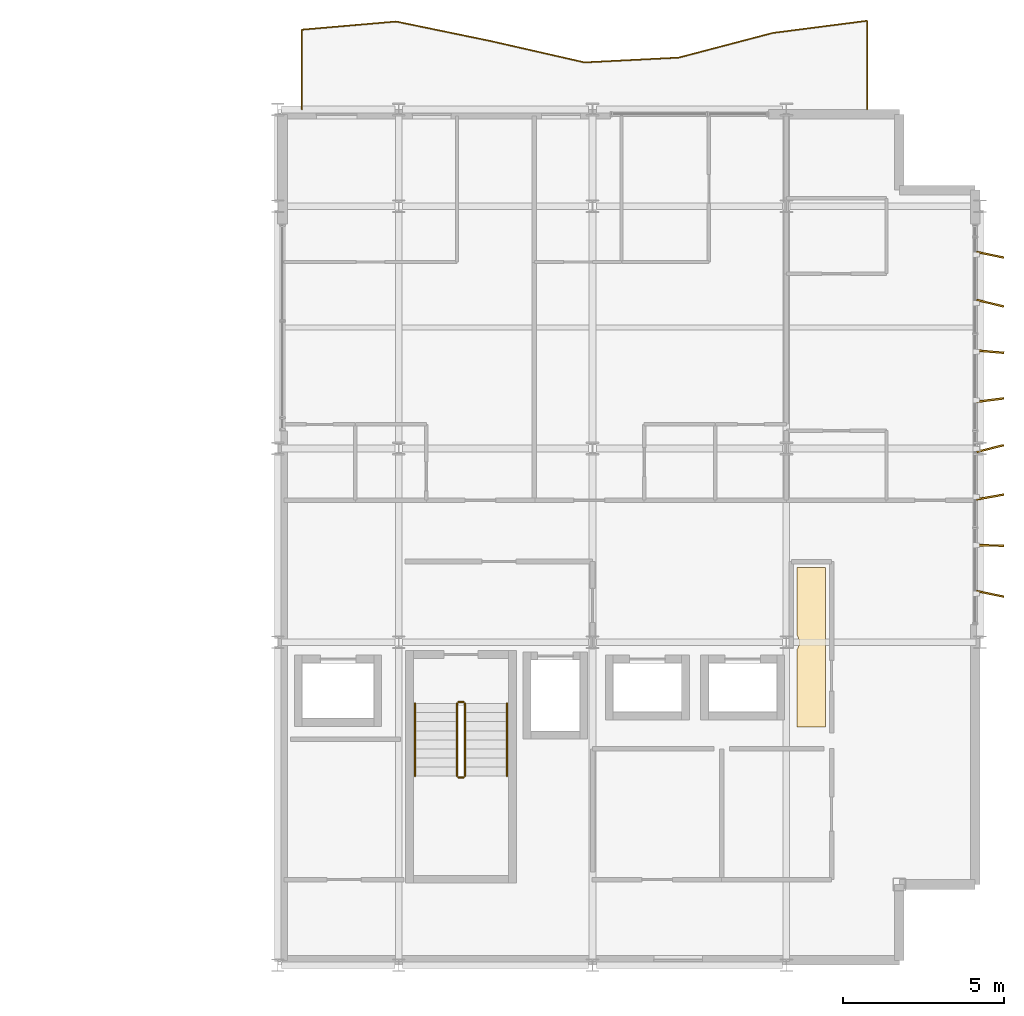
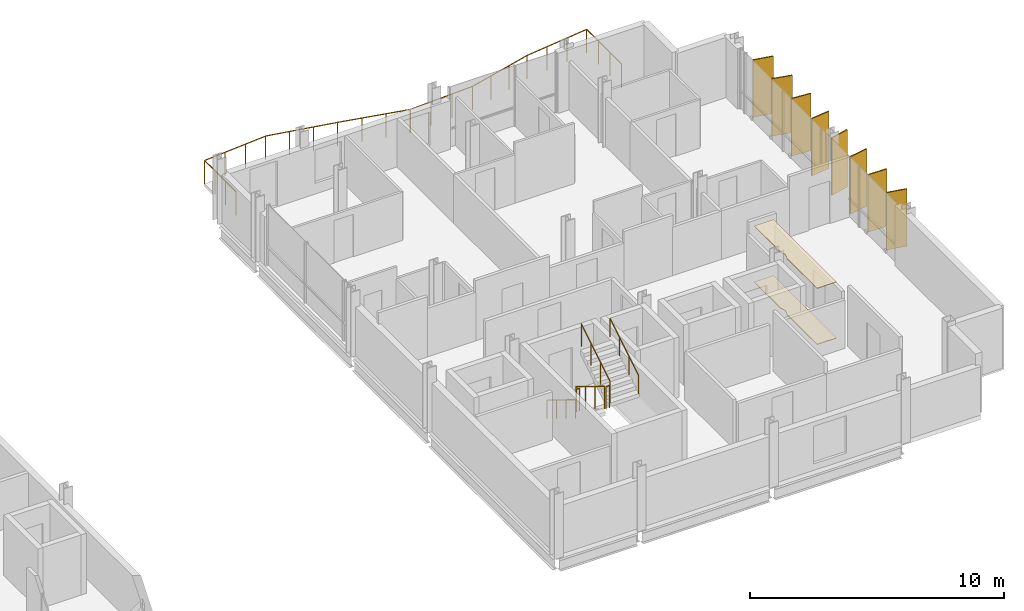
# One storey, part 29 of 29: 8 shading devices, 7 railings, 2 coverings.
"""IFC4 building model written with IfcOpenShell, lengths in metres."""

import ifcopenshell
import ifcopenshell.guid

model = None  # the IFC model being written
_history = None  # IfcOwnerHistory: only IFC2X3 demands one
_inside = {}  # id of a spatial element -> (the spatial element, [elements in it])
_under = {}  # id of a project, library or spatial element -> (it, [spatial elements below it])
_declared = {}  # id of a project -> (the project, [libraries it declares])
_typed = {}  # id of a type object -> (the type object, [elements of that type])
_made_of = {}  # id of a material, layer set ... -> (it, [elements and type objects made of it])


def new_model(schema):
    """Start an empty IFC model of exactly this schema.

    Asked for "IFC4X3", IfcOpenShell would pick the latest addendum, in which some entities
    have other attributes; the version numbers below select the first issue.
    IFC2X3 requires an IfcOwnerHistory on every rooted entity: one is made here for all.
    """
    global model, _history
    if schema == "IFC4X3":
        model = ifcopenshell.file(schema_version=(4, 3, 0, 0))
    else:
        model = ifcopenshell.file(schema=schema)
    _inside.clear()
    _under.clear()
    _declared.clear()
    _typed.clear()
    _made_of.clear()
    _history = None
    if model.schema == "IFC2X3":
        org = make("IfcOrganization", Name="unknown")
        user = make(
            "IfcPersonAndOrganization",
            ThePerson=make("IfcPerson", FamilyName="unknown"),
            TheOrganization=org,
        )
        app = make(
            "IfcApplication",
            ApplicationDeveloper=org,
            Version="unknown",
            ApplicationFullName="unknown",
            ApplicationIdentifier="unknown",
        )
        _history = make(
            "IfcOwnerHistory",
            OwningUser=user,
            OwningApplication=app,
            ChangeAction="ADDED",
            CreationDate=0,
        )
    return model


def make(cls, **values):
    """One entity of the class cls with the attributes given. An attribute that is None is left unset."""
    return model.create_entity(
        cls, **{name: value for name, value in values.items() if value is not None}
    )


def rooted(cls, **values):
    """An entity with a GlobalId (a new one), such as an element, a storey or a relation."""
    return make(cls, GlobalId=ifcopenshell.guid.new(), OwnerHistory=_history, **values)


def si_unit(unit_type, name, prefix=None):
    """IfcSIUnit, for example si_unit("LENGTHUNIT", "METRE", prefix="MILLI")."""
    return make("IfcSIUnit", UnitType=unit_type, Prefix=prefix, Name=name)


def assignment(units):
    """IfcUnitAssignment: the units of a project."""
    return None if units is None else make("IfcUnitAssignment", Units=units)


def point(xyz):
    """IfcCartesianPoint."""
    return None if xyz is None else make("IfcCartesianPoint", Coordinates=xyz)


def direction(xyz):
    """IfcDirection."""
    return None if xyz is None else make("IfcDirection", DirectionRatios=xyz)


def frame(location, z_axis=None, x_axis=None):
    """IfcAxis2Placement3D, a coordinate frame: its origin and axes. An axis left out is left unset."""
    return make(
        "IfcAxis2Placement3D",
        Location=point(location),
        Axis=direction(z_axis),
        RefDirection=direction(x_axis),
    )


def frame_2d(location, x_axis=None):
    """IfcAxis2Placement2D, a coordinate frame in the plane: its origin and x axis."""
    return make(
        "IfcAxis2Placement2D", Location=point(location), RefDirection=direction(x_axis)
    )


def origin():
    """The frame at (0, 0, 0) with its axes left unset."""
    return frame((0.0, 0.0, 0.0))


def origin_2d():
    """The frame at (0, 0) in the plane with its x axis left unset."""
    return frame_2d((0.0, 0.0))


def place(relative_to, where):
    """IfcLocalPlacement: puts the frame where relative to a parent placement (None: the world)."""
    return make(
        "IfcLocalPlacement", PlacementRelTo=relative_to, RelativePlacement=where
    )


def context(
    kind, dimensions, precision=None, world=None, true_north=None, identifier=None
):
    """IfcGeometricRepresentationContext, for example the 3D "Model" context."""
    return make(
        "IfcGeometricRepresentationContext",
        ContextIdentifier=identifier,
        ContextType=kind,
        CoordinateSpaceDimension=dimensions,
        Precision=precision,
        WorldCoordinateSystem=world,
        TrueNorth=true_north,
    )


def subcontext(parent, identifier, kind, view, scale=None):
    """IfcGeometricRepresentationSubContext, for example "Body" below "Model"."""
    return make(
        "IfcGeometricRepresentationSubContext",
        ContextIdentifier=identifier,
        ContextType=kind,
        ParentContext=parent,
        TargetScale=scale,
        TargetView=view,
    )


def project(units=None, contexts=None):
    """IfcProject with its units and contexts."""
    return rooted(
        "IfcProject",
        Name="project",
        RepresentationContexts=contexts,
        UnitsInContext=assignment(units),
    )


def spatial(cls, under=None, at=None, **own):
    """A site, building, storey or space (cls), placed at a placement, below another one or the project."""
    s = rooted(cls, ObjectPlacement=at, **own)
    if under is not None:
        _under.setdefault(under.id(), (under, []))[1].append(s)
    return s


def polyline(points):
    """IfcPolyline through the points."""
    return make("IfcPolyline", Points=[point(p) for p in points])


def profile(cls, at=None, kind="AREA", **sizes):
    """A parametric profile (cls). Its sizes go by their IFC names, for example OverallWidth=200.0."""
    return make(cls, ProfileType=kind, Position=at, **sizes)


def rectangle(**sizes):
    """IfcRectangleProfileDef."""
    return profile("IfcRectangleProfileDef", **sizes)


def circle(**sizes):
    """IfcCircleProfileDef."""
    return profile("IfcCircleProfileDef", **sizes)


def outline(outer, holes=None, kind="AREA"):
    """IfcArbitraryClosedProfileDef: a profile drawn as a closed curve; with holes, ...WithVoids."""
    if holes is None:
        return make("IfcArbitraryClosedProfileDef", ProfileType=kind, OuterCurve=outer)
    return make(
        "IfcArbitraryProfileDefWithVoids",
        ProfileType=kind,
        OuterCurve=outer,
        InnerCurves=holes,
    )


def extrude(swept, where, along, depth):
    """IfcExtrudedAreaSolid: the profile swept, set in the frame where, extruded along a direction by depth."""
    return make(
        "IfcExtrudedAreaSolid",
        SweptArea=swept,
        Position=where,
        ExtrudedDirection=direction(along),
        Depth=depth,
    )


def shape(context_of_items, identifier, shape_type, items):
    """IfcShapeRepresentation: the items that make up one representation, for example the "Body"."""
    return make(
        "IfcShapeRepresentation",
        ContextOfItems=context_of_items,
        RepresentationIdentifier=identifier,
        RepresentationType=shape_type,
        Items=items,
    )


def material(Name=None, Category=None):
    """IfcMaterial."""
    return make("IfcMaterial", Name=Name, Category=Category)


def layer(
    of_material, thickness, ventilated=None, Name=None, Category=None, Priority=None
):
    """IfcMaterialLayer: one layer of a wall or slab, of a material (None: an air gap)."""
    return make(
        "IfcMaterialLayer",
        Material=of_material,
        LayerThickness=thickness,
        IsVentilated=ventilated,
        Name=Name,
        Category=Category,
        Priority=Priority,
    )


def layer_set(layers, Name=None):
    """IfcMaterialLayerSet."""
    return make("IfcMaterialLayerSet", MaterialLayers=layers, LayerSetName=Name)


def made_of(thing, what):
    """Note that an element or type object is made of a material, layer set ...; save() writes the relation."""
    if what is not None:
        _made_of.setdefault(what.id(), (what, []))[1].append(thing)
    return thing


def type_object(cls, material=None, **own):
    """A type object (cls), such as IfcWallType, which elements share."""
    return made_of(rooted(cls, **own), material)


def element(
    cls,
    number,
    at=None,
    inside=None,
    cuts=None,
    type_object=None,
    material=None,
    context=None,
    identifier="Body",
    shape_type=None,
    held_by="IfcProductDefinitionShape",
    body=None,
    shapes=None,
    **own,
):
    """One element of the class cls, such as IfcWall. Its Tag is "e" and its number.

    at: its placement. inside: the storey or other place that contains it. cuts: it is an
    opening in that element (IfcRelVoidsElement). A single representation is given by context,
    identifier, shape_type and body (its items); several are given by shapes. held_by: the class
    of the entity that holds the representations. save() writes the other relations.
    """
    e = rooted(cls, Tag="e%d" % number, ObjectPlacement=at, **own)
    if body is not None:
        shapes = [shape(context, identifier, shape_type, body)]
    if shapes is not None:
        e.Representation = make(held_by, Representations=shapes)
    if inside is not None:
        _inside.setdefault(inside.id(), (inside, []))[1].append(e)
    if cuts is not None:
        rooted(
            "IfcRelVoidsElement", RelatingBuildingElement=cuts, RelatedOpeningElement=e
        )
    if type_object is not None:
        _typed.setdefault(type_object.id(), (type_object, []))[1].append(e)
    return made_of(e, material)


def aggregate(whole, parts):
    """IfcRelAggregates: a whole, such as a stair, and the parts it consists of."""
    return rooted("IfcRelAggregates", RelatingObject=whole, RelatedObjects=parts)


def save(model, path):
    """Write the relations noted so far, then the file.

    IfcRelAggregates (storeys below a building ...), IfcRelContainedInSpatialStructure (elements
    in a storey), IfcRelDefinesByType, IfcRelAssociatesMaterial and IfcRelDeclares: one each for
    every whole, place, type object, material and project.
    """
    for whole, parts in _under.values():
        aggregate(whole, parts)
    for where, things in _inside.values():
        rooted(
            "IfcRelContainedInSpatialStructure",
            RelatedElements=things,
            RelatingStructure=where,
        )
    for kind, things in _typed.values():
        rooted("IfcRelDefinesByType", RelatedObjects=things, RelatingType=kind)
    for what, things in _made_of.values():
        rooted("IfcRelAssociatesMaterial", RelatedObjects=things, RelatingMaterial=what)
    for by, libraries in _declared.values():
        rooted("IfcRelDeclares", RelatingContext=by, RelatedDefinitions=libraries)
    model.write(path)


model = new_model("IFC4")

# Units and contexts
model_context = context("Model", 3, precision=1e-05, world=origin(), true_north=direction((0.0, 1.0)))
body_context = subcontext(model_context, "Body", "Model", "MODEL_VIEW")
ifc_project = project(units=[si_unit("LENGTHUNIT", "METRE"), si_unit("AREAUNIT", "SQUARE_METRE"), si_unit("VOLUMEUNIT", "CUBIC_METRE"), si_unit("PLANEANGLEUNIT", "RADIAN"), si_unit("MASSUNIT", "GRAM", prefix="KILO")], contexts=[model_context])

# Site, building, storey
site_placement = place(None, origin())
site = spatial("IfcSite", under=ifc_project, at=site_placement, CompositionType="ELEMENT")
building_placement = place(site_placement, origin())
building = spatial("IfcBuilding", under=site, at=building_placement, Name="Brevholm Reach", CompositionType="ELEMENT")
storey_placement = place(building_placement, frame((0.0, 0.0, 198.699951171875)))
storey = spatial("IfcBuildingStorey", under=building, at=storey_placement, Name="L60", CompositionType="ELEMENT", Elevation=198.699951171875)

# Coverings
ifc_material_1 = material(Name="Moisture-Resistant Skimmed Gypsum Plasterboard Ceiling", Category="gypsum")
ifc_layer_1 = layer(ifc_material_1, 0.030029296875)
ifc_layer_set_1 = layer_set([ifc_layer_1], Name="Moisture-Resistant Skimmed Gypsum Plasterboard Ceiling")
covering_type_1 = type_object("IfcCoveringType", Name="COV-CLG-GYP", PredefinedType="CEILING", material=ifc_layer_set_1)
covering_1_placement = place(storey_placement, frame((0.0, 0.0, 2.68994140625)))
element("IfcCovering", 1, at=covering_1_placement, inside=storey, type_object=covering_type_1, Name="L60 Suspended Ceiling L60-21", PredefinedType="CEILING", context=body_context, shape_type="SweptSolid", body=[
    extrude(outline(polyline([(54.330078125, 9.7626953125), (54.33056640625, 9.764892578125), (54.33251953125, 9.777587890625), (54.33251953125, 9.77783203125), (54.352783203125, 9.811279296875), (54.36962890625, 9.846923828125), (54.3828125, 9.8837890625), (54.392333984375, 9.922119140625), (54.398193359375, 9.960693359375), (54.39990234375, 10.0), (54.398193359375, 10.039306640625), (54.392333984375, 10.077880859375), (54.3828125, 10.1162109375), (54.36962890625, 10.153076171875), (54.352783203125, 10.188720703125), (54.333984375, 10.219970703125), (54.333984375, 12.320068359375), (55.216064453125, 12.320068359375), (55.216064453125, 7.3798828125), (54.330078125, 7.3798828125), (54.330078125, 9.7626953125)])), origin(), (0.0, 0.0, 1.0), 0.030029296875),
])
ifc_material_2 = material(Name="Honed Portland-Aggregate Resin Terrazzo Flooring", Category="concrete")
ifc_layer_2 = layer(ifc_material_2, 0.031982421875)
ifc_layer_set_2 = layer_set([ifc_layer_2], Name="Honed Portland-Aggregate Resin Terrazzo Flooring")
covering_type_2 = type_object("IfcCoveringType", Name="COV-FLR-TRZ", PredefinedType="FLOORING", material=ifc_layer_set_2)
covering_2_placement = place(storey_placement, origin())
element("IfcCovering", 2, at=covering_2_placement, inside=storey, type_object=covering_type_2, Name="L60 Floor Finish L60-21", PredefinedType="FLOORING", context=body_context, shape_type="SweptSolid", body=[
    extrude(outline(polyline([(54.330078125, 9.7626953125), (54.33056640625, 9.764892578125), (54.33251953125, 9.777587890625), (54.33251953125, 9.77783203125), (54.352783203125, 9.811279296875), (54.36962890625, 9.846923828125), (54.3828125, 9.8837890625), (54.392333984375, 9.922119140625), (54.398193359375, 9.960693359375), (54.39990234375, 10.0), (54.398193359375, 10.039306640625), (54.392333984375, 10.077880859375), (54.3828125, 10.1162109375), (54.36962890625, 10.153076171875), (54.352783203125, 10.188720703125), (54.333984375, 10.219970703125), (54.333984375, 12.320068359375), (55.216064453125, 12.320068359375), (55.216064453125, 7.3798828125), (54.330078125, 7.3798828125), (54.330078125, 9.7626953125)])), origin(), (0.0, 0.0, 1.0), 0.031982421875),
])

# Railings
ifc_material_3 = material(Name="Brushed Stainless Steel EN 1.4401 and Laminated Glass", Category="steel")
railing_type_1 = type_object("IfcRailingType", Name="RAL-BALC-1150", PredefinedType="BALUSTRADE", material=ifc_material_3)
railing_1_placement = place(storey_placement, frame((56.5, 26.5, 0.0)))
element("IfcRailing", 3, at=railing_1_placement, inside=storey, type_object=railing_type_1, Name="L60 Guard Balustrade RAL-L60-BAL-NE", PredefinedType="BALUSTRADE", context=body_context, shape_type="SweptSolid", body=[
    extrude(circle(Radius=0.02392578125, at=origin_2d()), frame((0.0, 0.0, 1.1259765625), z_axis=(0.0, 1.0, 0.0), x_axis=(-1.0, 0.0, 0.0)), (0.0, 0.0, 1.0), 2.746337890625),
    extrude(circle(Radius=0.02392578125, at=origin_2d()), frame((0.0, 2.746337890625, 1.1259765625), z_axis=(-0.991815212116, -0.12768157665, 0.0), x_axis=(0.12768157665, -0.991815212116, 0.0)), (0.0, 0.0, 1.0), 2.94091796875),
    extrude(circle(Radius=0.02392578125, at=origin_2d()), frame((-2.916748046875, 2.370849609375, 1.1259765625), z_axis=(-0.967306983138, -0.25360836022, 0.0), x_axis=(0.25360836022, -0.967306983138, 0.0)), (0.0, 0.0, 1.0), 3.01513671875),
    extrude(circle(Radius=0.02392578125, at=origin_2d()), frame((-5.833251953125, 1.606201171875, 1.1259765625), z_axis=(-0.998720239463, -0.050575520622, 0.0), x_axis=(0.050575520622, -0.998720239463, 0.0)), (0.0, 0.0, 1.0), 2.92041015625),
    extrude(circle(Radius=0.02392578125, at=origin_2d()), frame((-8.75, 1.45849609375, 1.1259765625), z_axis=(-0.975083925705, 0.221836286102, 0.0), x_axis=(-0.221836286102, -0.975083925705, 0.0)), (0.0, 0.0, 1.0), 2.9912109375),
    extrude(circle(Radius=0.02392578125, at=origin_2d()), frame((-11.666748046875, 2.1220703125, 1.1259765625), z_axis=(-0.979367411888, 0.202087784221, 0.0), x_axis=(-0.202087784221, -0.979367411888, 0.0)), (0.0, 0.0, 1.0), 2.97802734375),
    extrude(circle(Radius=0.02392578125, at=origin_2d()), frame((-14.583251953125, 2.723876953125, 1.1259765625), z_axis=(-0.996282713287, -0.086143805376, 0.0), x_axis=(0.086143805376, -0.996282713287, 0.0)), (0.0, 0.0, 1.0), 2.927734375),
    extrude(circle(Radius=0.02392578125, at=origin_2d()), frame((-17.5, 2.4716796875, 1.1259765625), z_axis=(0.0, -1.0, 0.0), x_axis=(1.0, 0.0, 0.0)), (0.0, 0.0, 1.0), 2.4716796875),
    extrude(circle(Radius=0.02099609375, at=origin_2d()), origin(), (0.0, 0.0, 1.0), 1.101806640625),
    extrude(circle(Radius=0.02099609375, at=origin_2d()), frame((0.0, 0.91552734375, 0.0)), (0.0, 0.0, 1.0), 1.101806640625),
    extrude(circle(Radius=0.02099609375, at=origin_2d()), frame((0.0, 1.830810546875, 0.0)), (0.0, 0.0, 1.0), 1.101806640625),
    extrude(circle(Radius=0.02099609375, at=origin_2d()), frame((0.0, 2.746337890625, 0.0)), (0.0, 0.0, 1.0), 1.101806640625),
    extrude(circle(Radius=0.02099609375, at=origin_2d()), frame((-0.97216796875, 2.62109375, 0.0)), (0.0, 0.0, 1.0), 1.101806640625),
    extrude(circle(Radius=0.02099609375, at=origin_2d()), frame((-1.944580078125, 2.49609375, 0.0)), (0.0, 0.0, 1.0), 1.101806640625),
    extrude(circle(Radius=0.02099609375, at=origin_2d()), frame((-2.916748046875, 2.370849609375, 0.0)), (0.0, 0.0, 1.0), 1.101806640625),
    extrude(circle(Radius=0.02099609375, at=origin_2d()), frame((-3.888916015625, 2.115966796875, 0.0)), (0.0, 0.0, 1.0), 1.101806640625),
    extrude(circle(Radius=0.02099609375, at=origin_2d()), frame((-4.861083984375, 1.861083984375, 0.0)), (0.0, 0.0, 1.0), 1.101806640625),
    extrude(circle(Radius=0.02099609375, at=origin_2d()), frame((-5.833251953125, 1.606201171875, 0.0)), (0.0, 0.0, 1.0), 1.101806640625),
    extrude(circle(Radius=0.02099609375, at=origin_2d()), frame((-6.805419921875, 1.556884765625, 0.0)), (0.0, 0.0, 1.0), 1.101806640625),
    extrude(circle(Radius=0.02099609375, at=origin_2d()), frame((-7.77783203125, 1.5078125, 0.0)), (0.0, 0.0, 1.0), 1.101806640625),
    extrude(circle(Radius=0.02099609375, at=origin_2d()), frame((-8.75, 1.45849609375, 0.0)), (0.0, 0.0, 1.0), 1.101806640625),
    extrude(circle(Radius=0.02099609375, at=origin_2d()), frame((-9.72216796875, 1.6796875, 0.0)), (0.0, 0.0, 1.0), 1.101806640625),
    extrude(circle(Radius=0.02099609375, at=origin_2d()), frame((-10.694580078125, 1.90087890625, 0.0)), (0.0, 0.0, 1.0), 1.101806640625),
    extrude(circle(Radius=0.02099609375, at=origin_2d()), frame((-11.666748046875, 2.1220703125, 0.0)), (0.0, 0.0, 1.0), 1.101806640625),
    extrude(circle(Radius=0.02099609375, at=origin_2d()), frame((-12.638916015625, 2.32275390625, 0.0)), (0.0, 0.0, 1.0), 1.101806640625),
    extrude(circle(Radius=0.02099609375, at=origin_2d()), frame((-13.611083984375, 2.523193359375, 0.0)), (0.0, 0.0, 1.0), 1.101806640625),
    extrude(circle(Radius=0.02099609375, at=origin_2d()), frame((-14.583251953125, 2.723876953125, 0.0)), (0.0, 0.0, 1.0), 1.101806640625),
    extrude(circle(Radius=0.02099609375, at=origin_2d()), frame((-15.555419921875, 2.639892578125, 0.0)), (0.0, 0.0, 1.0), 1.101806640625),
    extrude(circle(Radius=0.02099609375, at=origin_2d()), frame((-16.52783203125, 2.5556640625, 0.0)), (0.0, 0.0, 1.0), 1.101806640625),
    extrude(circle(Radius=0.02099609375, at=origin_2d()), frame((-17.5, 2.4716796875, 0.0)), (0.0, 0.0, 1.0), 1.101806640625),
    extrude(circle(Radius=0.02099609375, at=origin_2d()), frame((-17.5, 1.647705078125, 0.0)), (0.0, 0.0, 1.0), 1.101806640625),
    extrude(circle(Radius=0.02099609375, at=origin_2d()), frame((-17.5, 0.823974609375, 0.0)), (0.0, 0.0, 1.0), 1.101806640625),
    extrude(circle(Radius=0.02099609375, at=origin_2d()), frame((-17.5, 0.0, 0.0)), (0.0, 0.0, 1.0), 1.101806640625),
])
ifc_material_4 = material(Name="Brushed Stainless Steel EN 1.4401 Continuous Handrail", Category="steel")
railing_type_2 = type_object("IfcRailingType", Name="RAL-HND-950", PredefinedType="HANDRAIL", material=ifc_material_4)
railing_2_placement = place(storey_placement, frame((42.5, 8.10009765625, 0.17236328125)))
element("IfcRailing", 4, at=railing_2_placement, inside=storey, type_object=railing_type_2, Name="L60 ST-2 stair handrail 1", PredefinedType="HANDRAIL", context=body_context, shape_type="SweptSolid", body=[
    extrude(circle(Radius=0.02392578125, at=origin_2d()), frame((0.0, 0.0, 0.8857421875), z_axis=(0.0, -0.85178898068, 0.523885037382), x_axis=(1.0, 0.0, 0.0)), (0.0, 0.0, 1.0), 2.629638671875),
    extrude(circle(Radius=0.02099609375, at=origin_2d()), origin(), (0.0, 0.0, 1.0), 0.86181640625),
    extrude(circle(Radius=0.02099609375, at=origin_2d()), frame((0.0, -0.74658203125, 0.459228515625)), (0.0, 0.0, 1.0), 0.86181640625),
    extrude(circle(Radius=0.02099609375, at=origin_2d()), frame((0.0, -1.493408203125, 0.91845703125)), (0.0, 0.0, 1.0), 0.86181640625),
    extrude(circle(Radius=0.02099609375, at=origin_2d()), frame((0.0, -2.239990234375, 1.377685546875)), (0.0, 0.0, 1.0), 0.86181640625),
])
railing_3_placement = place(storey_placement, frame((45.35009765625, 5.860107421875, 1.72216796875)))
element("IfcRailing", 5, at=railing_3_placement, inside=storey, type_object=railing_type_2, Name="L60 ST-2 stair handrail 2", PredefinedType="HANDRAIL", context=body_context, shape_type="SweptSolid", body=[
    extrude(circle(Radius=0.02392578125, at=origin_2d()), frame((0.0, 0.0, 0.8857421875), z_axis=(0.0, 0.851747552033, 0.523952390591), x_axis=(-1.0, 0.0, 0.0)), (0.0, 0.0, 1.0), 2.6298828125),
    extrude(circle(Radius=0.02099609375, at=origin_2d()), origin(), (0.0, 0.0, 1.0), 0.86181640625),
    extrude(circle(Radius=0.02099609375, at=origin_2d()), frame((0.0, 0.74658203125, 0.459228515625)), (0.0, 0.0, 1.0), 0.86181640625),
    extrude(circle(Radius=0.02099609375, at=origin_2d()), frame((0.0, 1.493408203125, 0.918701171875)), (0.0, 0.0, 1.0), 0.86181640625),
    extrude(circle(Radius=0.02099609375, at=origin_2d()), frame((0.0, 2.239990234375, 1.3779296875)), (0.0, 0.0, 1.0), 0.86181640625),
])
ifc_material_5 = material(Name="Painted Tubular Galvanised Steel S275JR Stair Guard", Category="steel")
railing_type_3 = type_object("IfcRailingType", Name="RAL-STG-1120", PredefinedType="BALUSTRADE", material=ifc_material_5)
railing_4_placement = place(storey_placement, frame((43.800048828125, 8.10009765625, 0.17236328125)))
element("IfcRailing", 6, at=railing_4_placement, inside=storey, type_object=railing_type_3, Name="L60 ST-2 stair guard 1", PredefinedType="BALUSTRADE", context=body_context, shape_type="SweptSolid", body=[
    extrude(circle(Radius=0.02392578125, at=origin_2d()), frame((0.0, 0.0, 1.076171875), z_axis=(0.0, -0.85178898068, 0.523885037382), x_axis=(1.0, 0.0, 0.0)), (0.0, 0.0, 1.0), 2.629638671875),
    extrude(circle(Radius=0.02099609375, at=origin_2d()), origin(), (0.0, 0.0, 1.0), 1.052001953125),
    extrude(circle(Radius=0.02099609375, at=origin_2d()), frame((0.0, -0.74658203125, 0.459228515625)), (0.0, 0.0, 1.0), 1.052001953125),
    extrude(circle(Radius=0.02099609375, at=origin_2d()), frame((0.0, -1.493408203125, 0.91845703125)), (0.0, 0.0, 1.0), 1.052001953125),
    extrude(circle(Radius=0.02099609375, at=origin_2d()), frame((0.0, -2.239990234375, 1.377685546875)), (0.0, 0.0, 1.0), 1.052001953125),
])
railing_5_placement = place(storey_placement, frame((43.85009765625, 5.81005859375, 1.550048828125)))
element("IfcRailing", 7, at=railing_5_placement, inside=storey, type_object=railing_type_3, Name="L60 ST-2 stair guard 2", PredefinedType="BALUSTRADE", context=body_context, shape_type="SweptSolid", body=[
    extrude(circle(Radius=0.02392578125, at=origin_2d()), frame((0.0, 0.0, 1.076171875), z_axis=(1.0, 0.0, 0.0), x_axis=(0.0, 1.0, 0.0)), (0.0, 0.0, 1.0), 0.14990234375),
    extrude(circle(Radius=0.02099609375, at=origin_2d()), origin(), (0.0, 0.0, 1.0), 1.052001953125),
    extrude(circle(Radius=0.02099609375, at=origin_2d()), frame((0.14990234375, 0.0, 0.0)), (0.0, 0.0, 1.0), 1.052001953125),
])
railing_6_placement = place(storey_placement, frame((44.050048828125, 5.860107421875, 1.72216796875)))
element("IfcRailing", 8, at=railing_6_placement, inside=storey, type_object=railing_type_3, Name="L60 ST-2 stair guard 3", PredefinedType="BALUSTRADE", context=body_context, shape_type="SweptSolid", body=[
    extrude(circle(Radius=0.02392578125, at=origin_2d()), frame((0.0, 0.0, 1.076171875), z_axis=(0.0, 0.851747552033, 0.523952390591), x_axis=(-1.0, 0.0, 0.0)), (0.0, 0.0, 1.0), 2.6298828125),
    extrude(circle(Radius=0.02099609375, at=origin_2d()), origin(), (0.0, 0.0, 1.0), 1.052001953125),
    extrude(circle(Radius=0.02099609375, at=origin_2d()), frame((0.0, 0.74658203125, 0.459228515625)), (0.0, 0.0, 1.0), 1.052001953125),
    extrude(circle(Radius=0.02099609375, at=origin_2d()), frame((0.0, 1.493408203125, 0.918701171875)), (0.0, 0.0, 1.0), 1.052001953125),
    extrude(circle(Radius=0.02099609375, at=origin_2d()), frame((0.0, 2.239990234375, 1.3779296875)), (0.0, 0.0, 1.0), 1.052001953125),
])
railing_7_placement = place(storey_placement, frame((43.85009765625, 8.14990234375, 0.0)))
element("IfcRailing", 9, at=railing_7_placement, inside=storey, type_object=railing_type_3, Name="L60 ST-2 stair guard 4", PredefinedType="BALUSTRADE", context=body_context, shape_type="SweptSolid", body=[
    extrude(circle(Radius=0.02392578125, at=origin_2d()), frame((0.0, 0.0, 1.076171875), z_axis=(1.0, 0.0, 0.0), x_axis=(0.0, 1.0, 0.0)), (0.0, 0.0, 1.0), 0.14990234375),
    extrude(circle(Radius=0.02099609375, at=origin_2d()), origin(), (0.0, 0.0, 1.0), 1.052001953125),
    extrude(circle(Radius=0.02099609375, at=origin_2d()), frame((0.14990234375, 0.0, 0.0)), (0.0, 0.0, 1.0), 1.052001953125),
])

# Shading devices
ifc_material_6 = material(Name="Perforated Champagne-Bronze Anodised Aluminium", Category="aluminium")
ifc_layer_3 = layer(ifc_material_6, 0.054931640625)
ifc_layer_set_3 = layer_set([ifc_layer_3], Name="Perforated Champagne-Bronze Anodised Aluminium")
shading_device_type = type_object("IfcShadingDeviceType", Name="SHD-FIN-850", PredefinedType="USERDEFINED", material=ifc_layer_set_3)
for number, where, z_axis, x_axis, name in (
    (10, (60.31494140625, 11.5, 0.070068359375), (0.0, 0.0, 1.0), (0.979176774439, -0.203009468743, 0.0), "L60 Perforated Solar Screen Fin 1"),
    (11, (60.31494140625, 13.0, 0.070068359375), (0.0, 0.0, 1.0), (0.999739431828, -0.022826923753, 0.0), "L60 Perforated Solar Screen Fin 2"),
    (12, (60.31494140625, 14.5, 0.070068359375), (0.0, 0.0, 1.0), (0.984558224472, 0.175057426647, 0.0), "L60 Perforated Solar Screen Fin 3"),
    (13, (60.31494140625, 16.0, 0.070068359375), (0.0, 0.0, 1.0), (0.970800277843, 0.239889183874, 0.0), "L60 Perforated Solar Screen Fin 4"),
    (14, (60.31494140625, 17.5, 0.070068359375), (0.0, 0.0, 1.0), (0.99205772475, 0.125783428015, 0.0), "L60 Perforated Solar Screen Fin 5"),
    (15, (60.31494140625, 19.0, 0.070068359375), (0.0, 0.0, 1.0), (0.996389883808, -0.084895226275, 0.0), "L60 Perforated Solar Screen Fin 6"),
    (16, (60.31494140625, 20.5, 0.070068359375), (0.0, 0.0, 1.0), (0.973186902435, -0.230015766697, 0.0), "L60 Perforated Solar Screen Fin 7"),
    (17, (60.31494140625, 22.0, 0.070068359375), (0.0, 0.0, 1.0), (0.979176774439, -0.203009468743, 0.0), "L60 Perforated Solar Screen Fin 8"),
):
    element("IfcShadingDevice", number, at=place(storey_placement, frame(where, z_axis=z_axis, x_axis=x_axis)), inside=storey, type_object=shading_device_type, Name=name, ObjectType="SCREEN", PredefinedType="USERDEFINED", context=body_context, shape_type="SweptSolid", body=[
        extrude(rectangle(XDim=0.85009765625, YDim=0.054931640625, at=origin_2d()), origin(), (0.0, 0.0, 1.0), 2.75),
    ])

save(model, "model.ifc")
